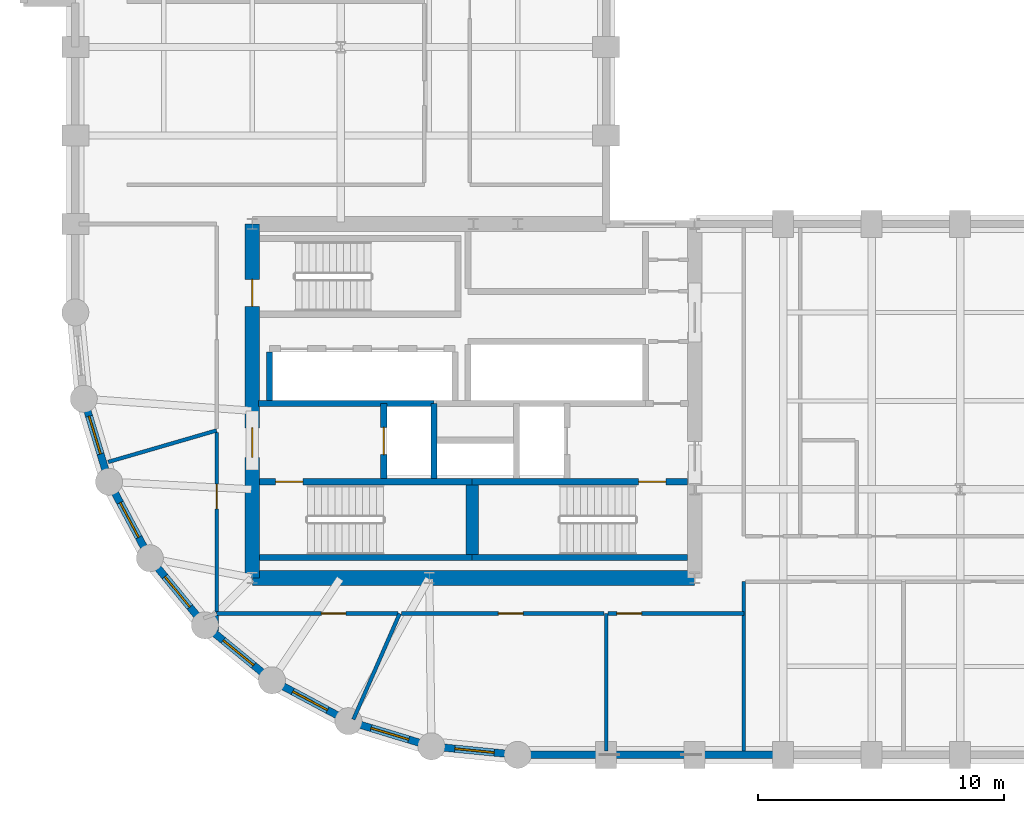
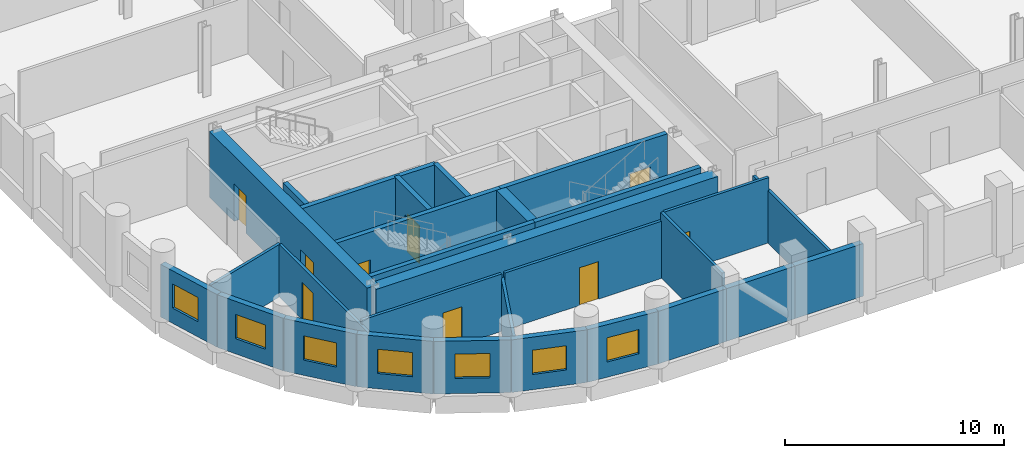
# One storey, part 3 of 7: 29 walls, 9 doors, 7 windows, 16 openings.
"""IFC4 building model written with IfcOpenShell, lengths in metres."""

from ifc_helpers import new_model, si_unit, direction, frame, frame_2d, origin, place, context, subcontext, project, spatial, rectangle, extrude, material, layer, layer_set, type_object, element, fill, save


model = new_model("IFC4")

# Units and contexts
model_context = context("Model", 3, precision=1e-05, world=origin(), true_north=direction((0.0, 1.0)))
body_context = subcontext(model_context, "Body", "Model", "MODEL_VIEW")
ifc_project = project(units=[si_unit("LENGTHUNIT", "METRE"), si_unit("AREAUNIT", "SQUARE_METRE"), si_unit("VOLUMEUNIT", "CUBIC_METRE"), si_unit("PLANEANGLEUNIT", "RADIAN"), si_unit("MASSUNIT", "GRAM", prefix="KILO")], contexts=[model_context])

# Site, building, storey
site_placement = place(None, origin())
site = spatial("IfcSite", under=ifc_project, at=site_placement, CompositionType="ELEMENT")
building_placement = place(site_placement, origin())
building = spatial("IfcBuilding", under=site, at=building_placement, Name="Solnavia Interchange Tower", CompositionType="ELEMENT")
storey_placement = place(building_placement, frame((0.0, 0.0, 91.800048828125)))
storey = spatial("IfcBuildingStorey", under=building, at=storey_placement, Name="L22", CompositionType="ELEMENT", Elevation=91.800048828125)

# Walls
ifc_material_1 = material(Name="Concrete C40/50", Category="concrete")
ifc_layer_1 = layer(ifc_material_1, 0.300048828125)
ifc_layer_set_1 = layer_set([ifc_layer_1], Name="Concrete C40/50")
wall_type_1 = type_object("IfcWallType", Name="Wall-ExtSpandrel-300", PredefinedType="STANDARD", material=ifc_layer_set_1)
wall_1_placement = place(storey_placement, frame((28.800048828125, 3.60009765625, 0.0), z_axis=(0.0, 0.0, 1.0), x_axis=(-1.0, 0.0, 0.0)))
element("IfcWall", 1, at=wall_1_placement, inside=storey, type_object=wall_type_1, Name="EXW-L22-01 Exterior precast spandrel wall", PredefinedType="STANDARD", context=body_context, shape_type="SweptSolid", body=[
    extrude(rectangle(XDim=3.60009765625, YDim=0.300048828125, at=frame_2d((1.800048828125, 0.0))), origin(), (0.0, 0.0, 1.0), 2.929931640625),
])
wall_2_placement = place(storey_placement, frame((32.39990234375, 3.60009765625, 0.0), z_axis=(0.0, 0.0, 1.0), x_axis=(-1.0, 0.0, 0.0)))
element("IfcWall", 2, at=wall_2_placement, inside=storey, type_object=wall_type_1, Name="EXW-L22-02 Exterior precast spandrel wall", PredefinedType="STANDARD", context=body_context, shape_type="SweptSolid", body=[
    extrude(rectangle(XDim=3.599853515625, YDim=0.300048828125, at=frame_2d((1.7998046875, 0.0))), origin(), (0.0, 0.0, 1.0), 2.929931640625),
])
wall_3_placement = place(storey_placement, frame((36.0, 3.60009765625, 0.0), z_axis=(0.0, 0.0, 1.0), x_axis=(-1.0, 0.0, 0.0)))
element("IfcWall", 3, at=wall_3_placement, inside=storey, type_object=wall_type_1, Name="EXW-L22-03 Exterior precast spandrel wall", PredefinedType="STANDARD", context=body_context, shape_type="SweptSolid", body=[
    extrude(rectangle(XDim=3.60009765625, YDim=0.300048828125, at=frame_2d((1.800048828125, 0.0))), origin(), (0.0, 0.0, 1.0), 2.929931640625),
])

# Wall, opening, window
wall_4_placement = place(storey_placement, frame((8.570068359375, 14.7119140625, 0.0), z_axis=(0.0, 0.0, 1.0), x_axis=(-0.290305086481, 0.956934144423, 0.0)))
wall_4 = element("IfcWall", 4, at=wall_4_placement, inside=storey, type_object=wall_type_1, Name="EXW-L22-56 Exterior precast spandrel wall", PredefinedType="STANDARD", context=body_context, shape_type="SweptSolid", body=[
    extrude(rectangle(XDim=3.52783203125, YDim=0.300048828125, at=frame_2d((1.763916015625, 0.0))), origin(), (0.0, 0.0, 1.0), 2.929931640625),
])
opening_1_placement = place(wall_4_placement, frame((1.18408203125, 0.0, 0.85009765625)))
opening_1 = element("IfcOpeningElement", 5, at=opening_1_placement, cuts=wall_4, Name="Opening WIN-04", PredefinedType="OPENING", context=body_context, shape_type="SweptSolid", body=[
    extrude(rectangle(XDim=1.60009765625, YDim=1.35009765625, at=frame_2d((0.800048828125, 0.675048828125))), frame((0.0, 0.16015625, 0.0), z_axis=(0.0, -1.0, 0.0), x_axis=(1.0, 0.0, 0.0)), (0.0, 0.0, 1.0), 0.320068359375),
])
ifc_material_2 = material(Name="Thermal-Break Aluminium & Low-E Glass", Category="aluminium")
window_type = type_object("IfcWindowType", Name="Window-Drum-1600x1350", PartitioningType="SINGLE_PANEL", PredefinedType="WINDOW", material=ifc_material_2)
window_1_placement = place(opening_1_placement, origin())
window_1 = element("IfcWindow", 6, at=window_1_placement, inside=storey, type_object=window_type, Name="WIN-L22-56 Facade ribbon window", OverallHeight=1.35009765625, OverallWidth=1.60009765625, PartitioningType="SINGLE_PANEL", PredefinedType="WINDOW", context=body_context, shape_type="SweptSolid", body=[
    extrude(rectangle(XDim=1.60009765625, YDim=1.35009765625, at=frame_2d((0.800048828125, 0.675048828125))), frame((0.0, 0.030029296875, 0.0), z_axis=(0.0, -1.0, 0.0), x_axis=(1.0, 0.0, 0.0)), (0.0, 0.0, 1.0), 0.06005859375),
])
fill(opening_1, window_1)

wall_5_placement = place(storey_placement, frame((10.23388671875, 11.60009765625, 0.0), z_axis=(0.0, 0.0, 1.0), x_axis=(-0.47151087309, 0.881860247748, 0.0)))
wall_5 = element("IfcWall", 7, at=wall_5_placement, inside=storey, type_object=wall_type_1, Name="EXW-L22-57 Exterior precast spandrel wall", PredefinedType="STANDARD", context=body_context, shape_type="SweptSolid", body=[
    extrude(rectangle(XDim=3.52880859375, YDim=0.300048828125, at=frame_2d((1.764404296875, 0.0))), origin(), (0.0, 0.0, 1.0), 2.929931640625),
])
opening_2_placement = place(wall_5_placement, frame((0.964111328125, 0.0, 0.85009765625)))
opening_2 = element("IfcOpeningElement", 8, at=opening_2_placement, cuts=wall_5, Name="Opening WIN-04", PredefinedType="OPENING", context=body_context, shape_type="SweptSolid", body=[
    extrude(rectangle(XDim=1.60009765625, YDim=1.35009765625, at=frame_2d((0.800048828125, 0.675048828125))), frame((0.0, 0.16015625, 0.0), z_axis=(0.0, -1.0, 0.0), x_axis=(1.0, 0.0, 0.0)), (0.0, 0.0, 1.0), 0.320068359375),
])
window_2_placement = place(opening_2_placement, origin())
window_2 = element("IfcWindow", 9, at=window_2_placement, inside=storey, type_object=window_type, Name="WIN-L22-57 Facade ribbon window", OverallHeight=1.35009765625, OverallWidth=1.60009765625, PartitioningType="SINGLE_PANEL", PredefinedType="WINDOW", context=body_context, shape_type="SweptSolid", body=[
    extrude(rectangle(XDim=1.60009765625, YDim=1.35009765625, at=frame_2d((0.800048828125, 0.675048828125))), frame((0.0, 0.030029296875, 0.0), z_axis=(0.0, -1.0, 0.0), x_axis=(1.0, 0.0, 0.0)), (0.0, 0.0, 1.0), 0.06005859375),
])
fill(opening_2, window_2)

wall_6_placement = place(storey_placement, frame((12.471923828125, 8.8720703125, 0.0), z_axis=(0.0, 0.0, 1.0), x_axis=(-0.634258295121, 0.773121216285, 0.0)))
wall_6 = element("IfcWall", 10, at=wall_6_placement, inside=storey, type_object=wall_type_1, Name="EXW-L22-58 Exterior precast spandrel wall", PredefinedType="STANDARD", context=body_context, shape_type="SweptSolid", body=[
    extrude(rectangle(XDim=3.528564453125, YDim=0.300048828125, at=frame_2d((1.76416015625, 0.0))), origin(), (0.0, 0.0, 1.0), 2.929931640625),
])
opening_3_placement = place(wall_6_placement, frame((0.964111328125, 0.0, 0.85009765625)))
opening_3 = element("IfcOpeningElement", 11, at=opening_3_placement, cuts=wall_6, Name="Opening WIN-04", PredefinedType="OPENING", context=body_context, shape_type="SweptSolid", body=[
    extrude(rectangle(XDim=1.60009765625, YDim=1.35009765625, at=frame_2d((0.800048828125, 0.675048828125))), frame((0.0, 0.16015625, 0.0), z_axis=(0.0, -1.0, 0.0), x_axis=(1.0, 0.0, 0.0)), (0.0, 0.0, 1.0), 0.320068359375),
])
window_3_placement = place(opening_3_placement, origin())
window_3 = element("IfcWindow", 12, at=window_3_placement, inside=storey, type_object=window_type, Name="WIN-L22-58 Facade ribbon window", OverallHeight=1.35009765625, OverallWidth=1.60009765625, PartitioningType="SINGLE_PANEL", PredefinedType="WINDOW", context=body_context, shape_type="SweptSolid", body=[
    extrude(rectangle(XDim=1.60009765625, YDim=1.35009765625, at=frame_2d((0.800048828125, 0.675048828125))), frame((0.0, 0.030029296875, 0.0), z_axis=(0.0, -1.0, 0.0), x_axis=(1.0, 0.0, 0.0)), (0.0, 0.0, 1.0), 0.06005859375),
])
fill(opening_3, window_3)

wall_7_placement = place(storey_placement, frame((15.199951171875, 6.634033203125, 0.0), z_axis=(0.0, 0.0, 1.0), x_axis=(-0.773121216285, 0.634258295121, 0.0)))
wall_7 = element("IfcWall", 13, at=wall_7_placement, inside=storey, type_object=wall_type_1, Name="EXW-L22-59 Exterior precast spandrel wall", PredefinedType="STANDARD", context=body_context, shape_type="SweptSolid", body=[
    extrude(rectangle(XDim=3.528564453125, YDim=0.300048828125, at=frame_2d((1.76416015625, 0.0))), origin(), (0.0, 0.0, 1.0), 2.929931640625),
])
opening_4_placement = place(wall_7_placement, frame((0.964111328125, 0.0, 0.85009765625)))
opening_4 = element("IfcOpeningElement", 14, at=opening_4_placement, cuts=wall_7, Name="Opening WIN-04", PredefinedType="OPENING", context=body_context, shape_type="SweptSolid", body=[
    extrude(rectangle(XDim=1.60009765625, YDim=1.35009765625, at=frame_2d((0.800048828125, 0.675048828125))), frame((0.0, 0.16015625, 0.0), z_axis=(0.0, -1.0, 0.0), x_axis=(1.0, 0.0, 0.0)), (0.0, 0.0, 1.0), 0.320068359375),
])
window_4_placement = place(opening_4_placement, origin())
window_4 = element("IfcWindow", 15, at=window_4_placement, inside=storey, type_object=window_type, Name="WIN-L22-59 Facade ribbon window", OverallHeight=1.35009765625, OverallWidth=1.60009765625, PartitioningType="SINGLE_PANEL", PredefinedType="WINDOW", context=body_context, shape_type="SweptSolid", body=[
    extrude(rectangle(XDim=1.60009765625, YDim=1.35009765625, at=frame_2d((0.800048828125, 0.675048828125))), frame((0.0, 0.030029296875, 0.0), z_axis=(0.0, -1.0, 0.0), x_axis=(1.0, 0.0, 0.0)), (0.0, 0.0, 1.0), 0.06005859375),
])
fill(opening_4, window_4)

wall_8_placement = place(storey_placement, frame((18.31201171875, 4.969970703125, 0.0), z_axis=(0.0, 0.0, 1.0), x_axis=(-0.881846862014, 0.471535907389, 0.0)))
wall_8 = element("IfcWall", 16, at=wall_8_placement, inside=storey, type_object=wall_type_1, Name="EXW-L22-60 Exterior precast spandrel wall", PredefinedType="STANDARD", context=body_context, shape_type="SweptSolid", body=[
    extrude(rectangle(XDim=3.529052734375, YDim=0.300048828125, at=frame_2d((1.7646484375, 0.0))), origin(), (0.0, 0.0, 1.0), 2.929931640625),
])
opening_5_placement = place(wall_8_placement, frame((0.964111328125, 0.0, 0.85009765625)))
opening_5 = element("IfcOpeningElement", 17, at=opening_5_placement, cuts=wall_8, Name="Opening WIN-04", PredefinedType="OPENING", context=body_context, shape_type="SweptSolid", body=[
    extrude(rectangle(XDim=1.60009765625, YDim=1.35009765625, at=frame_2d((0.800048828125, 0.675048828125))), frame((0.0, 0.16015625, 0.0), z_axis=(0.0, -1.0, 0.0), x_axis=(1.0, 0.0, 0.0)), (0.0, 0.0, 1.0), 0.320068359375),
])
window_5_placement = place(opening_5_placement, origin())
window_5 = element("IfcWindow", 18, at=window_5_placement, inside=storey, type_object=window_type, Name="WIN-L22-60 Facade ribbon window", OverallHeight=1.35009765625, OverallWidth=1.60009765625, PartitioningType="SINGLE_PANEL", PredefinedType="WINDOW", context=body_context, shape_type="SweptSolid", body=[
    extrude(rectangle(XDim=1.60009765625, YDim=1.35009765625, at=frame_2d((0.800048828125, 0.675048828125))), frame((0.0, 0.030029296875, 0.0), z_axis=(0.0, -1.0, 0.0), x_axis=(1.0, 0.0, 0.0)), (0.0, 0.0, 1.0), 0.06005859375),
])
fill(opening_5, window_5)

wall_9_placement = place(storey_placement, frame((21.68798828125, 3.946044921875, 0.0), z_axis=(0.0, 0.0, 1.0), x_axis=(-0.956953367403, 0.290241714123, 0.0)))
wall_9 = element("IfcWall", 19, at=wall_9_placement, inside=storey, type_object=wall_type_1, Name="EXW-L22-61 Exterior precast spandrel wall", PredefinedType="STANDARD", context=body_context, shape_type="SweptSolid", body=[
    extrude(rectangle(XDim=3.52783203125, YDim=0.300048828125, at=frame_2d((1.763916015625, 0.0))), origin(), (0.0, 0.0, 1.0), 2.929931640625),
])
opening_6_placement = place(wall_9_placement, frame((0.964111328125, 0.0, 0.85009765625)))
opening_6 = element("IfcOpeningElement", 20, at=opening_6_placement, cuts=wall_9, Name="Opening WIN-04", PredefinedType="OPENING", context=body_context, shape_type="SweptSolid", body=[
    extrude(rectangle(XDim=1.60009765625, YDim=1.35009765625, at=frame_2d((0.800048828125, 0.675048828125))), frame((0.0, 0.16015625, 0.0), z_axis=(0.0, -1.0, 0.0), x_axis=(1.0, 0.0, 0.0)), (0.0, 0.0, 1.0), 0.320068359375),
])
window_6_placement = place(opening_6_placement, origin())
window_6 = element("IfcWindow", 21, at=window_6_placement, inside=storey, type_object=window_type, Name="WIN-L22-61 Facade ribbon window", OverallHeight=1.35009765625, OverallWidth=1.60009765625, PartitioningType="SINGLE_PANEL", PredefinedType="WINDOW", context=body_context, shape_type="SweptSolid", body=[
    extrude(rectangle(XDim=1.60009765625, YDim=1.35009765625, at=frame_2d((0.800048828125, 0.675048828125))), frame((0.0, 0.030029296875, 0.0), z_axis=(0.0, -1.0, 0.0), x_axis=(1.0, 0.0, 0.0)), (0.0, 0.0, 1.0), 0.06005859375),
])
fill(opening_6, window_6)

wall_10_placement = place(storey_placement, frame((25.199951171875, 3.60009765625, 0.0), z_axis=(0.0, 0.0, 1.0), x_axis=(-0.995183369056, 0.098030923459, 0.0)))
wall_10 = element("IfcWall", 22, at=wall_10_placement, inside=storey, type_object=wall_type_1, Name="EXW-L22-62 Exterior precast spandrel wall", PredefinedType="STANDARD", context=body_context, shape_type="SweptSolid", body=[
    extrude(rectangle(XDim=3.529052734375, YDim=0.300048828125, at=frame_2d((1.7646484375, 0.0))), origin(), (0.0, 0.0, 1.0), 2.929931640625),
])
opening_7_placement = place(wall_10_placement, frame((0.965087890625, 0.0, 0.85009765625)))
opening_7 = element("IfcOpeningElement", 23, at=opening_7_placement, cuts=wall_10, Name="Opening WIN-04", PredefinedType="OPENING", context=body_context, shape_type="SweptSolid", body=[
    extrude(rectangle(XDim=1.60009765625, YDim=1.35009765625, at=frame_2d((0.800048828125, 0.675048828125))), frame((0.0, 0.16015625, 0.0), z_axis=(0.0, -1.0, 0.0), x_axis=(1.0, 0.0, 0.0)), (0.0, 0.0, 1.0), 0.320068359375),
])
window_7_placement = place(opening_7_placement, origin())
window_7 = element("IfcWindow", 24, at=window_7_placement, inside=storey, type_object=window_type, Name="WIN-L22-62 Facade ribbon window", OverallHeight=1.35009765625, OverallWidth=1.60009765625, PartitioningType="SINGLE_PANEL", PredefinedType="WINDOW", context=body_context, shape_type="SweptSolid", body=[
    extrude(rectangle(XDim=1.60009765625, YDim=1.35009765625, at=frame_2d((0.800048828125, 0.675048828125))), frame((0.0, 0.030029296875, 0.0), z_axis=(0.0, -1.0, 0.0), x_axis=(1.0, 0.0, 0.0)), (0.0, 0.0, 1.0), 0.06005859375),
])
fill(opening_7, window_7)

# Walls
ifc_material_3 = material(Name="Gypsum Plasterboard & Steel Stud", Category="steel")
ifc_layer_2 = layer(ifc_material_3, 0.14990234375)
ifc_layer_set_2 = layer_set([ifc_layer_2], Name="Gypsum Plasterboard & Steel Stud")
wall_type_2 = type_object("IfcWallType", Name="Wall-Partition-150", PredefinedType="PARTITIONING", material=ifc_layer_set_2)
wall_11_placement = place(storey_placement, frame((28.800048828125, 9.35009765625, 0.0), z_axis=(0.0, 0.0, 1.0), x_axis=(0.0, -1.0, 0.0)))
element("IfcWall", 25, at=wall_11_placement, inside=storey, type_object=wall_type_2, Name="PTW-L22-08 Interior partition wall", PredefinedType="PARTITIONING", context=body_context, shape_type="SweptSolid", body=[
    extrude(rectangle(XDim=5.59619140625, YDim=0.14990234375, at=frame_2d((2.798095703125, 0.0))), origin(), (0.0, 0.0, 1.0), 3.635009765625),
])
wall_12_placement = place(storey_placement, frame((12.949951171875, 16.800048828125, 0.0), z_axis=(0.0, 0.0, 1.0), x_axis=(-0.960237798553, -0.279183398915, 0.0)))
element("IfcWall", 26, at=wall_12_placement, inside=storey, type_object=wall_type_2, Name="PTW-L22-09 Interior partition wall", PredefinedType="PARTITIONING", context=body_context, shape_type="SweptSolid", body=[
    extrude(rectangle(XDim=4.5927734375, YDim=0.14990234375, at=frame_2d((2.29638671875, 0.0))), origin(), (0.0, 0.0, 1.0), 2.929931640625),
])
wall_13_placement = place(storey_placement, frame((20.39990234375, 9.35009765625, 0.0), z_axis=(0.0, 0.0, 1.0), x_axis=(-0.400957621756, -0.916096602742, 0.0)))
element("IfcWall", 27, at=wall_13_placement, inside=storey, type_object=wall_type_2, Name="PTW-L22-11 Interior partition wall", PredefinedType="PARTITIONING", context=body_context, shape_type="SweptSolid", body=[
    extrude(rectangle(XDim=4.7060546875, YDim=0.14990234375, at=frame_2d((2.35302734375, 0.0))), origin(), (0.0, 0.0, 1.0), 2.929931640625),
])

# Wall, opening, door
wall_14_placement = place(storey_placement, frame((12.949951171875, 8.6337890625, 0.0), z_axis=(0.0, 0.0, 1.0), x_axis=(0.0, 1.0, 0.0)))
wall_14 = element("IfcWall", 28, at=wall_14_placement, inside=storey, type_object=wall_type_2, Name="PTW-L22-13 Interior partition wall", PredefinedType="PARTITIONING", context=body_context, shape_type="SweptSolid", body=[
    extrude(rectangle(XDim=8.087158203125, YDim=0.14990234375, at=frame_2d((4.04345703125, 0.0))), origin(), (0.0, 0.0, 1.0), 2.929931640625),
])
opening_8_placement = place(wall_14_placement, frame((4.97705078125, 0.0, 0.0)))
opening_8 = element("IfcOpeningElement", 29, at=opening_8_placement, cuts=wall_14, Name="Opening DR-07", PredefinedType="OPENING", context=body_context, shape_type="SweptSolid", body=[
    extrude(rectangle(XDim=1.0, YDim=2.10009765625, at=frame_2d((0.5, 1.050048828125))), frame((0.0, 0.0849609375, 0.0), z_axis=(0.0, -1.0, 0.0), x_axis=(1.0, 0.0, 0.0)), (0.0, 0.0, 1.0), 0.169921875),
])
ifc_material_4 = material(Name="Timber & Acoustic Glazed Office Door", Category="wood")
door_type_1 = type_object("IfcDoorType", Name="Door-Office-1000x2100", OperationType="SINGLE_SWING_RIGHT", PredefinedType="DOOR", material=ifc_material_4)
door_1_placement = place(opening_8_placement, origin())
door_1 = element("IfcDoor", 30, at=door_1_placement, inside=storey, type_object=door_type_1, Name="DR-L22-04 Interior room door", OperationType="SINGLE_SWING_RIGHT", OverallHeight=2.10009765625, OverallWidth=1.0, PredefinedType="DOOR", context=body_context, shape_type="SweptSolid", body=[
    extrude(rectangle(XDim=1.0, YDim=2.10009765625, at=frame_2d((0.5, 1.050048828125))), frame((0.0, 0.02490234375, 0.0), z_axis=(0.0, -1.0, 0.0), x_axis=(1.0, 0.0, 0.0)), (0.0, 0.0, 1.0), 0.050048828125),
])
fill(opening_8, door_1)

wall_15_placement = place(storey_placement, frame((12.949951171875, 9.35009765625, 0.0), z_axis=(0.0, 0.0, 1.0), x_axis=(1.0, 0.0, 0.0)))
wall_15 = element("IfcWall", 31, at=wall_15_placement, inside=storey, type_object=wall_type_2, Name="PTW-L22-14 Interior partition wall", PredefinedType="PARTITIONING", context=body_context, shape_type="SweptSolid", body=[
    extrude(rectangle(XDim=7.37109375, YDim=0.14990234375, at=frame_2d((3.685546875, 0.0))), origin(), (0.0, 0.0, 1.0), 3.18994140625),
])
opening_9_placement = place(wall_15_placement, frame((4.260986328125, 0.0, 0.0)))
opening_9 = element("IfcOpeningElement", 32, at=opening_9_placement, cuts=wall_15, Name="Opening DR-07", PredefinedType="OPENING", context=body_context, shape_type="SweptSolid", body=[
    extrude(rectangle(XDim=1.0, YDim=2.10009765625, at=frame_2d((0.5, 1.050048828125))), frame((0.0, 0.0849609375, 0.0), z_axis=(0.0, -1.0, 0.0), x_axis=(1.0, 0.0, 0.0)), (0.0, 0.0, 1.0), 0.169921875),
])
door_2_placement = place(opening_9_placement, origin())
door_2 = element("IfcDoor", 33, at=door_2_placement, inside=storey, type_object=door_type_1, Name="DR-L22-05 Interior room door", OperationType="SINGLE_SWING_LEFT", OverallHeight=2.10009765625, OverallWidth=1.0, PredefinedType="DOOR", context=body_context, shape_type="SweptSolid", body=[
    extrude(rectangle(XDim=1.0, YDim=2.10009765625, at=frame_2d((0.5, 1.050048828125))), frame((0.0, 0.02490234375, 0.0), z_axis=(0.0, -1.0, 0.0), x_axis=(1.0, 0.0, 0.0)), (0.0, 0.0, 1.0), 0.050048828125),
])
fill(opening_9, door_2)

wall_16_placement = place(storey_placement, frame((20.47900390625, 9.35009765625, 0.0), z_axis=(0.0, 0.0, 1.0), x_axis=(1.0, 0.0, 0.0)))
wall_16 = element("IfcWall", 34, at=wall_16_placement, inside=storey, type_object=wall_type_2, Name="PTW-L22-15 Interior partition wall", PredefinedType="PARTITIONING", context=body_context, shape_type="SweptSolid", body=[
    extrude(rectangle(XDim=8.241943359375, YDim=0.14990234375, at=frame_2d((4.12109375, 0.0))), origin(), (0.0, 0.0, 1.0), 3.179931640625),
])
opening_10_placement = place(wall_16_placement, frame((3.93896484375, 0.0, 0.0)))
opening_10 = element("IfcOpeningElement", 35, at=opening_10_placement, cuts=wall_16, Name="Opening DR-07", PredefinedType="OPENING", context=body_context, shape_type="SweptSolid", body=[
    extrude(rectangle(XDim=1.0, YDim=2.10009765625, at=frame_2d((0.5, 1.050048828125))), frame((0.0, 0.0849609375, 0.0), z_axis=(0.0, -1.0, 0.0), x_axis=(1.0, 0.0, 0.0)), (0.0, 0.0, 1.0), 0.169921875),
])
door_3_placement = place(opening_10_placement, origin())
door_3 = element("IfcDoor", 36, at=door_3_placement, inside=storey, type_object=door_type_1, Name="DR-L22-06 Interior room door", OperationType="SINGLE_SWING_RIGHT", OverallHeight=2.10009765625, OverallWidth=1.0, PredefinedType="DOOR", context=body_context, shape_type="SweptSolid", body=[
    extrude(rectangle(XDim=1.0, YDim=2.10009765625, at=frame_2d((0.5, 1.050048828125))), frame((0.0, 0.02490234375, 0.0), z_axis=(0.0, -1.0, 0.0), x_axis=(1.0, 0.0, 0.0)), (0.0, 0.0, 1.0), 0.050048828125),
])
fill(opening_10, door_3)

wall_17_placement = place(storey_placement, frame((28.87890625, 9.35009765625, 0.0), z_axis=(0.0, 0.0, 1.0), x_axis=(1.0, 0.0, 0.0)))
wall_17 = element("IfcWall", 37, at=wall_17_placement, inside=storey, type_object=wall_type_2, Name="PTW-L22-16 Interior partition wall", PredefinedType="PARTITIONING", context=body_context, shape_type="SweptSolid", body=[
    extrude(rectangle(XDim=5.52099609375, YDim=0.14990234375, at=frame_2d((2.760498046875, 0.0))), origin(), (0.0, 0.0, 1.0), 3.635009765625),
])
opening_11_placement = place(wall_17_placement, frame((0.360107421875, 0.0, 0.0)))
opening_11 = element("IfcOpeningElement", 38, at=opening_11_placement, cuts=wall_17, Name="Opening DR-07", PredefinedType="OPENING", context=body_context, shape_type="SweptSolid", body=[
    extrude(rectangle(XDim=1.0, YDim=2.10009765625, at=frame_2d((0.5, 1.050048828125))), frame((0.0, 0.0849609375, 0.0), z_axis=(0.0, -1.0, 0.0), x_axis=(1.0, 0.0, 0.0)), (0.0, 0.0, 1.0), 0.169921875),
])
door_4_placement = place(opening_11_placement, origin())
door_4 = element("IfcDoor", 39, at=door_4_placement, inside=storey, type_object=door_type_1, Name="DR-L22-07 Interior room door", OperationType="SINGLE_SWING_LEFT", OverallHeight=2.10009765625, OverallWidth=1.0, PredefinedType="DOOR", context=body_context, shape_type="SweptSolid", body=[
    extrude(rectangle(XDim=1.0, YDim=2.10009765625, at=frame_2d((0.5, 1.050048828125))), frame((0.0, 0.02490234375, 0.0), z_axis=(0.0, -1.0, 0.0), x_axis=(1.0, 0.0, 0.0)), (0.0, 0.0, 1.0), 0.050048828125),
])
fill(opening_11, door_4)

# Walls
wall_18_placement = place(storey_placement, frame((34.39990234375, 3.75390625, 0.0), z_axis=(0.0, 0.0, 1.0), x_axis=(0.0, 1.0, 0.0)))
element("IfcWall", 40, at=wall_18_placement, inside=storey, type_object=wall_type_2, Name="PTW-L22-17 Interior partition wall", PredefinedType="PARTITIONING", context=body_context, shape_type="SweptSolid", body=[
    extrude(rectangle(XDim=6.89599609375, YDim=0.14990234375, at=frame_2d((3.447998046875, 0.0))), origin(), (0.0, 0.0, 1.0), 2.929931640625),
])
ifc_layer_3 = layer(ifc_material_1, 0.25)
ifc_layer_set_3 = layer_set([ifc_layer_3], Name="Concrete C40/50")
wall_type_3 = type_object("IfcWallType", Name="Wall-ShaftCore-250", PredefinedType="SHEAR", material=ifc_layer_set_3)
wall_19_placement = place(storey_placement, frame((14.699951171875, 11.625, 0.0), z_axis=(0.0, 0.0, 1.0), x_axis=(1.0, 0.0, 0.0)))
element("IfcWall", 41, at=wall_19_placement, inside=storey, type_object=wall_type_3, Name="SHW-L22-ST1S Core shear wall", PredefinedType="SHEAR", context=body_context, shape_type="SweptSolid", body=[
    extrude(rectangle(XDim=8.650146484375, YDim=0.25, at=frame_2d((4.3251953125, 0.0))), origin(), (0.0, 0.0, 1.0), 3.64990234375),
])

# Wall, opening, door
wall_20_placement = place(storey_placement, frame((14.699951171875, 14.715087890625, 0.0), z_axis=(0.0, 0.0, 1.0), x_axis=(1.0, 0.0, 0.0)))
wall_20 = element("IfcWall", 42, at=wall_20_placement, inside=storey, type_object=wall_type_3, Name="SHW-L22-ST1N Core shear wall", PredefinedType="SHEAR", context=body_context, shape_type="SweptSolid", body=[
    extrude(rectangle(XDim=8.650146484375, YDim=0.25, at=frame_2d((4.3251953125, 0.0))), origin(), (0.0, 0.0, 1.0), 3.64990234375),
])
opening_12_placement = place(wall_20_placement, frame((0.655029296875, 0.0, 0.0)))
opening_12 = element("IfcOpeningElement", 43, at=opening_12_placement, cuts=wall_20, Name="Opening DR-01", PredefinedType="OPENING", context=body_context, shape_type="SweptSolid", body=[
    extrude(rectangle(XDim=1.10009765625, YDim=2.10009765625, at=frame_2d((0.550048828125, 1.050048828125))), frame((0.0, 0.135009765625, 0.0), z_axis=(0.0, -1.0, 0.0), x_axis=(1.0, 0.0, 0.0)), (0.0, 0.0, 1.0), 0.27001953125),
])
ifc_material_5 = material(Name="Steel Fire-Rated Leaf & Frame", Category="steel")
door_type_2 = type_object("IfcDoorType", Name="Door-StairFire-1100x2100", OperationType="SINGLE_SWING_LEFT", PredefinedType="DOOR", material=ifc_material_5)
door_5_placement = place(opening_12_placement, origin())
door_5 = element("IfcDoor", 44, at=door_5_placement, inside=storey, type_object=door_type_2, Name="DR-L22-ST1 Core fire door", OperationType="SINGLE_SWING_LEFT", OverallHeight=2.10009765625, OverallWidth=1.10009765625, PredefinedType="DOOR", context=body_context, shape_type="SweptSolid", body=[
    extrude(rectangle(XDim=1.10009765625, YDim=2.10009765625, at=frame_2d((0.550048828125, 1.050048828125))), frame((0.0, 0.02490234375, 0.0), z_axis=(0.0, -1.0, 0.0), x_axis=(1.0, 0.0, 0.0)), (0.0, 0.0, 1.0), 0.050048828125),
])
fill(opening_12, door_5)

# Wall
wall_21_placement = place(storey_placement, frame((23.35009765625, 11.625, 0.0), z_axis=(0.0, 0.0, 1.0), x_axis=(1.0, 0.0, 0.0)))
element("IfcWall", 45, at=wall_21_placement, inside=storey, type_object=wall_type_3, Name="SHW-L22-ST2S Core shear wall", PredefinedType="SHEAR", context=body_context, shape_type="SweptSolid", body=[
    extrude(rectangle(XDim=8.75, YDim=0.25, at=frame_2d((4.375, 0.0))), origin(), (0.0, 0.0, 1.0), 3.64990234375),
])

# Wall, opening, door
wall_22_placement = place(storey_placement, frame((23.35009765625, 14.715087890625, 0.0), z_axis=(0.0, 0.0, 1.0), x_axis=(1.0, 0.0, 0.0)))
wall_22 = element("IfcWall", 46, at=wall_22_placement, inside=storey, type_object=wall_type_3, Name="SHW-L22-ST2N Core shear wall", PredefinedType="SHEAR", context=body_context, shape_type="SweptSolid", body=[
    extrude(rectangle(XDim=8.75, YDim=0.25, at=frame_2d((4.375, 0.0))), origin(), (0.0, 0.0, 1.0), 3.64990234375),
])
opening_13_placement = place(wall_22_placement, frame((6.77490234375, 0.0, 0.0)))
opening_13 = element("IfcOpeningElement", 47, at=opening_13_placement, cuts=wall_22, Name="Opening DR-01", PredefinedType="OPENING", context=body_context, shape_type="SweptSolid", body=[
    extrude(rectangle(XDim=1.10009765625, YDim=2.10009765625, at=frame_2d((0.550048828125, 1.050048828125))), frame((0.0, 0.135009765625, 0.0), z_axis=(0.0, -1.0, 0.0), x_axis=(1.0, 0.0, 0.0)), (0.0, 0.0, 1.0), 0.27001953125),
])
door_6_placement = place(opening_13_placement, origin())
door_6 = element("IfcDoor", 48, at=door_6_placement, inside=storey, type_object=door_type_2, Name="DR-L22-ST2 Core fire door", OperationType="SINGLE_SWING_LEFT", OverallHeight=2.10009765625, OverallWidth=1.10009765625, PredefinedType="DOOR", context=body_context, shape_type="SweptSolid", body=[
    extrude(rectangle(XDim=1.10009765625, YDim=2.10009765625, at=frame_2d((0.550048828125, 1.050048828125))), frame((0.0, 0.02490234375, 0.0), z_axis=(0.0, -1.0, 0.0), x_axis=(1.0, 0.0, 0.0)), (0.0, 0.0, 1.0), 0.050048828125),
])
fill(opening_13, door_6)

# Wall
ifc_layer_4 = layer(ifc_material_1, 0.25)
ifc_layer_set_4 = layer_set([ifc_layer_4], Name="Concrete C40/50")
wall_type_4 = type_object("IfcWallType", Name="Wall-ShaftPart-250", PredefinedType="PARTITIONING", material=ifc_layer_set_4)
wall_23_placement = place(storey_placement, frame((14.64990234375, 17.89990234375, 0.0), z_axis=(0.0, 0.0, 1.0), x_axis=(1.0, 0.0, 0.0)))
element("IfcWall", 49, at=wall_23_placement, inside=storey, type_object=wall_type_4, Name="SHW-L22-FFLW-N Core shaft wall", PredefinedType="PARTITIONING", context=body_context, shape_type="SweptSolid", body=[
    extrude(rectangle(XDim=7.150146484375, YDim=0.25, at=frame_2d((3.5751953125, 0.0))), origin(), (0.0, 0.0, 1.0), 3.635009765625),
])

# Wall, opening, door
wall_24_placement = place(storey_placement, frame((19.75, 14.840087890625, 0.0), z_axis=(0.0, 0.0, 1.0), x_axis=(0.0, 1.0, 0.0)))
wall_24 = element("IfcWall", 50, at=wall_24_placement, inside=storey, type_object=wall_type_4, Name="SHW-L22-FFL1-W Core shaft wall", PredefinedType="PARTITIONING", context=body_context, shape_type="SweptSolid", body=[
    extrude(rectangle(XDim=3.059814453125, YDim=0.25, at=frame_2d((1.52978515625, 0.0))), origin(), (0.0, 0.0, 1.0), 3.635009765625),
])
opening_14_placement = place(wall_24_placement, frame((0.97998046875, 0.0, 0.0)))
opening_14 = element("IfcOpeningElement", 51, at=opening_14_placement, cuts=wall_24, Name="Opening LD-01", PredefinedType="OPENING", context=body_context, shape_type="SweptSolid", body=[
    extrude(rectangle(XDim=1.10009765625, YDim=2.10009765625, at=frame_2d((0.550048828125, 1.050048828125))), frame((0.0, 0.135009765625, 0.0), z_axis=(0.0, -1.0, 0.0), x_axis=(1.0, 0.0, 0.0)), (0.0, 0.0, 1.0), 0.27001953125),
])
ifc_material_6 = material(Name="Brushed Stainless Steel Sliding Door", Category="steel")
door_type_3 = type_object("IfcDoorType", Name="Door-LiftLanding-1100x2100", OperationType="SLIDING_TO_LEFT", PredefinedType="DOOR", material=ifc_material_6)
door_7_placement = place(opening_14_placement, origin())
door_7 = element("IfcDoor", 52, at=door_7_placement, inside=storey, type_object=door_type_3, Name="LD-L22-FFL1 Lift landing sliding door", OperationType="SLIDING_TO_LEFT", OverallHeight=2.10009765625, OverallWidth=1.10009765625, PredefinedType="DOOR", context=body_context, shape_type="SweptSolid", body=[
    extrude(rectangle(XDim=1.10009765625, YDim=2.10009765625, at=frame_2d((0.550048828125, 1.050048828125))), frame((0.0, 0.02490234375, 0.0), z_axis=(0.0, -1.0, 0.0), x_axis=(1.0, 0.0, 0.0)), (0.0, 0.0, 1.0), 0.050048828125),
])
fill(opening_14, door_7)

# Walls
wall_25_placement = place(storey_placement, frame((21.800048828125, 14.840087890625, 0.0), z_axis=(0.0, 0.0, 1.0), x_axis=(0.0, 1.0, 0.0)))
element("IfcWall", 53, at=wall_25_placement, inside=storey, type_object=wall_type_4, Name="SHW-L22-FFL1-E Core shaft wall", PredefinedType="PARTITIONING", context=body_context, shape_type="SweptSolid", body=[
    extrude(rectangle(XDim=3.059814453125, YDim=0.25, at=frame_2d((1.52978515625, 0.0))), origin(), (0.0, 0.0, 1.0), 3.635009765625),
])
wall_26_placement = place(storey_placement, frame((15.10009765625, 18.02490234375, 0.0), z_axis=(0.0, 0.0, 1.0), x_axis=(0.0, 1.0, 0.0)))
element("IfcWall", 54, at=wall_26_placement, inside=storey, type_object=wall_type_4, Name="SHW-L22-B1W Core shaft wall", PredefinedType="PARTITIONING", context=body_context, shape_type="SweptSolid", body=[
    extrude(rectangle(XDim=1.97509765625, YDim=0.25, at=frame_2d((0.987548828125, 0.0))), origin(), (0.0, 0.0, 1.0), 3.635009765625),
])
ifc_material_7 = material(Name="Concrete C60/75", Category="concrete")
ifc_layer_5 = layer(ifc_material_7, 0.5)
ifc_layer_set_5 = layer_set([ifc_layer_5], Name="Concrete C60/75")
wall_type_5 = type_object("IfcWallType", Name="Wall-ShearCore-500", PredefinedType="SHEAR", material=ifc_layer_set_5)
wall_27_placement = place(storey_placement, frame((23.35009765625, 11.75, 0.0), z_axis=(0.0, 0.0, 1.0), x_axis=(0.0, 1.0, 0.0)))
element("IfcWall", 55, at=wall_27_placement, inside=storey, type_object=wall_type_5, Name="SHW-L22-ST12M Core shear wall", PredefinedType="SHEAR", context=body_context, shape_type="SweptSolid", body=[
    extrude(rectangle(XDim=2.840087890625, YDim=0.5, at=frame_2d((1.419921875, 0.0))), origin(), (0.0, 0.0, 1.0), 3.64990234375),
])
ifc_layer_6 = layer(ifc_material_7, 0.60009765625)
ifc_layer_set_6 = layer_set([ifc_layer_6], Name="Concrete C60/75")
wall_type_6 = type_object("IfcWallType", Name="Wall-ShearCore-600", PredefinedType="SHEAR", material=ifc_layer_set_6)
wall_28_placement = place(storey_placement, frame((14.39990234375, 10.800048828125, 0.0), z_axis=(0.0, 0.0, 1.0), x_axis=(1.0, 0.0, 0.0)))
element("IfcWall", 56, at=wall_28_placement, inside=storey, type_object=wall_type_6, Name="CRW-L22-S Core shear wall", PredefinedType="SHEAR", context=body_context, shape_type="SweptSolid", body=[
    extrude(rectangle(XDim=18.0, YDim=0.60009765625, at=frame_2d((9.0, 0.0))), origin(), (0.0, 0.0, 1.0), 3.64990234375),
])

# Wall, openings, doors
wall_29_placement = place(storey_placement, frame((14.39990234375, 10.800048828125, 0.0), z_axis=(0.0, 0.0, 1.0), x_axis=(0.0, 1.0, 0.0)))
wall_29 = element("IfcWall", 57, at=wall_29_placement, inside=storey, type_object=wall_type_6, Name="CRW-L22-W Core shear wall", PredefinedType="SHEAR", context=body_context, shape_type="SweptSolid", body=[
    extrude(rectangle(XDim=14.39990234375, YDim=0.60009765625, at=frame_2d((7.199951171875, 0.0))), origin(), (0.0, 0.0, 1.0), 3.64990234375),
])
opening_15_placement = place(wall_29_placement, frame((11.050048828125, 0.0, 0.0)))
opening_15 = element("IfcOpeningElement", 58, at=opening_15_placement, cuts=wall_29, Name="Opening DR-01", PredefinedType="OPENING", context=body_context, shape_type="SweptSolid", body=[
    extrude(rectangle(XDim=1.10009765625, YDim=2.10009765625, at=frame_2d((0.550048828125, 1.050048828125))), frame((0.0, 0.31005859375, 0.0), z_axis=(0.0, -1.0, 0.0), x_axis=(1.0, 0.0, 0.0)), (0.0, 0.0, 1.0), 0.6201171875),
])
opening_16_placement = place(wall_29_placement, frame((4.89990234375, 0.0, 0.0)))
opening_16 = element("IfcOpeningElement", 59, at=opening_16_placement, cuts=wall_29, Name="Opening DR-02", PredefinedType="OPENING", context=body_context, shape_type="SweptSolid", body=[
    extrude(rectangle(XDim=1.199951171875, YDim=2.10009765625, at=frame_2d((0.60009765625, 1.050048828125))), frame((0.0, 0.31005859375, 0.0), z_axis=(0.0, -1.0, 0.0), x_axis=(1.0, 0.0, 0.0)), (0.0, 0.0, 1.0), 0.6201171875),
])
ifc_material_8 = material(Name="Steel Fire-Rated Vision-Panel Door", Category="steel")
door_type_4 = type_object("IfcDoorType", Name="Door-LobbyFire-1200x2100", OperationType="SINGLE_SWING_RIGHT", PredefinedType="DOOR", material=ifc_material_8)
door_8_placement = place(opening_16_placement, origin())
door_8 = element("IfcDoor", 60, at=door_8_placement, inside=storey, type_object=door_type_4, Name="DR-L22-FFL1W Core fire door", OperationType="SINGLE_SWING_RIGHT", OverallHeight=2.10009765625, OverallWidth=1.199951171875, PredefinedType="DOOR", context=body_context, shape_type="SweptSolid", body=[
    extrude(rectangle(XDim=1.199951171875, YDim=2.10009765625, at=frame_2d((0.60009765625, 1.050048828125))), frame((0.0, 0.02490234375, 0.0), z_axis=(0.0, -1.0, 0.0), x_axis=(1.0, 0.0, 0.0)), (0.0, 0.0, 1.0), 0.050048828125),
])
fill(opening_16, door_8)
door_9_placement = place(opening_15_placement, origin())
door_9 = element("IfcDoor", 61, at=door_9_placement, inside=storey, type_object=door_type_2, Name="DR-L22-ST3 Core fire door", OperationType="SINGLE_SWING_RIGHT", OverallHeight=2.10009765625, OverallWidth=1.10009765625, PredefinedType="DOOR", context=body_context, shape_type="SweptSolid", body=[
    extrude(rectangle(XDim=1.10009765625, YDim=2.10009765625, at=frame_2d((0.550048828125, 1.050048828125))), frame((0.0, 0.02490234375, 0.0), z_axis=(0.0, -1.0, 0.0), x_axis=(1.0, 0.0, 0.0)), (0.0, 0.0, 1.0), 0.050048828125),
])
fill(opening_15, door_9)

save(model, "model.ifc")
